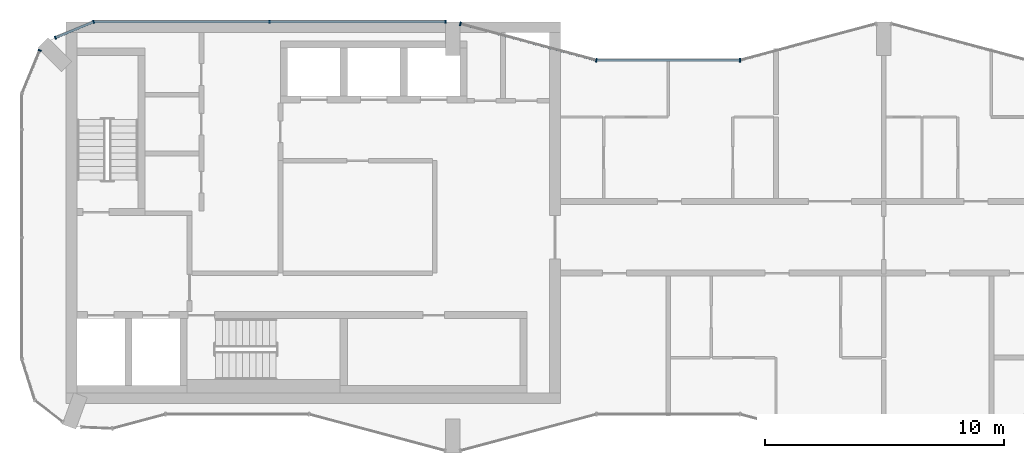
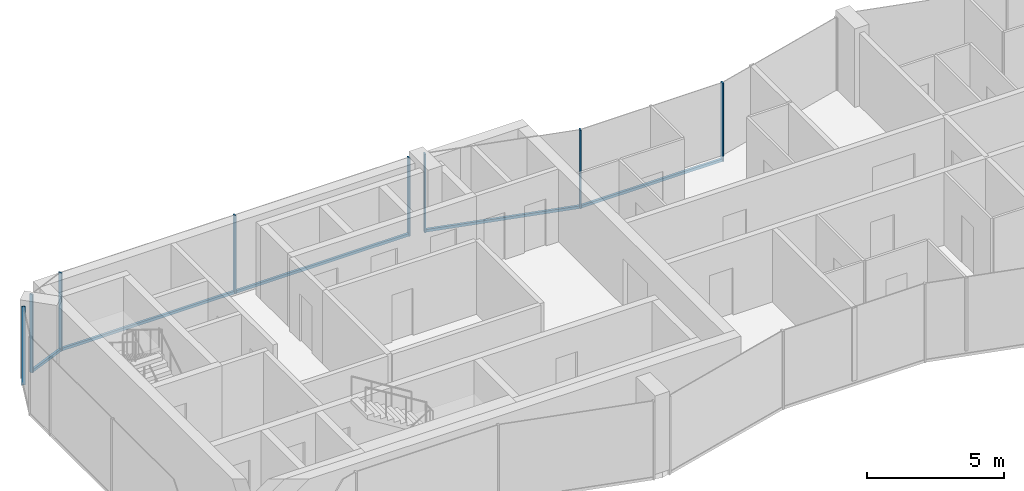
# One storey, part 4 of 10: 12 members, 5 elements without a shape of their own.
"""IFC4 building model written with IfcOpenShell, lengths in metres."""

from ifc_helpers import new_model, si_unit, direction, frame, origin, origin_2d, place, context, subcontext, project, spatial, rectangle, extrude, material, layer, layer_set, material_profile, profile_set, type_object, element, aggregate, save


model = new_model("IFC4")

# Units and contexts
model_context = context("Model", 3, precision=1e-05, world=origin(), true_north=direction((0.0, 1.0)))
body_context = subcontext(model_context, "Body", "Model", "MODEL_VIEW")
ifc_project = project(units=[si_unit("LENGTHUNIT", "METRE"), si_unit("AREAUNIT", "SQUARE_METRE"), si_unit("VOLUMEUNIT", "CUBIC_METRE"), si_unit("PLANEANGLEUNIT", "RADIAN"), si_unit("MASSUNIT", "GRAM", prefix="KILO")], contexts=[model_context])

# Site, building, storey
site_placement = place(None, origin())
site = spatial("IfcSite", under=ifc_project, at=site_placement, CompositionType="ELEMENT")
building_placement = place(site_placement, origin())
building = spatial("IfcBuilding", under=site, at=building_placement, Name="Plateau Cross Towers", CompositionType="ELEMENT")
storey_placement = place(building_placement, frame((0.0, 0.0, 280.89990234375)))
storey = spatial("IfcBuildingStorey", under=building, at=storey_placement, Name="L74", CompositionType="ELEMENT", Elevation=280.89990234375)

# Curtain wall, members
ifc_material_1 = material(Name="Dark low-iron glass", Category="glass")
ifc_layer_1 = layer(ifc_material_1, 0.239990234375)
ifc_layer_set_1 = layer_set([ifc_layer_1], Name="Dark low-iron glass")
curtain_wall_type_1 = type_object("IfcCurtainWallType", Name="Curtain wall flush unitised CW-B", PredefinedType="NOTDEFINED", material=ifc_layer_set_1)
curtain_wall_1_placement = place(storey_placement, origin())
curtain_wall_1 = element("IfcCurtainWall", 1, at=curtain_wall_1_placement, inside=storey, type_object=curtain_wall_type_1, Name="ENV/A/L74/A177_180", PredefinedType="NOTDEFINED")
ifc_material_2 = material(Name="Black anodised aluminium", Category="aluminium")
ifc_material_profile_1 = material_profile(ifc_material_2, rectangle(XDim=0.06005859375, YDim=0.139892578125, at=origin_2d()), Name="MULLION 60x140")
ifc_profile_set_1 = profile_set([ifc_material_profile_1], Name="Black anodised aluminium")
member_type_1 = type_object("IfcMemberType", Name="Mullion 60x140 flush unitised", PredefinedType="MULLION", material=ifc_profile_set_1)
member_1_placement = place(storey_placement, frame((17.699951171875, 18.0, -0.25), z_axis=(0.0, 0.0, 1.0), x_axis=(-1.0, 0.0, 0.0)))
member_1 = element("IfcMember", 2, at=member_1_placement, type_object=member_type_1, Name="CW-B mullion 1", PredefinedType="MULLION", context=body_context, shape_type="SweptSolid", body=[
    extrude(rectangle(XDim=0.06005859375, YDim=0.139892578125, at=origin_2d()), origin(), (0.0, 0.0, 1.0), 3.5),
])
member_2_placement = place(storey_placement, frame((10.35009765625, 18.0, -0.25), z_axis=(0.0, 0.0, 1.0), x_axis=(-1.0, 0.0, 0.0)))
member_2 = element("IfcMember", 3, at=member_2_placement, type_object=member_type_1, Name="CW-B mullion 2", PredefinedType="MULLION", context=body_context, shape_type="SweptSolid", body=[
    extrude(rectangle(XDim=0.06005859375, YDim=0.139892578125, at=origin_2d()), origin(), (0.0, 0.0, 1.0), 3.5),
])

curtain_wall_2_placement = place(storey_placement, origin())
curtain_wall_2 = element("IfcCurtainWall", 4, at=curtain_wall_2_placement, inside=storey, type_object=curtain_wall_type_1, Name="ENV/A/L74/A30_180", PredefinedType="NOTDEFINED")
member_3_placement = place(storey_placement, frame((3.0, 18.0, -0.25), z_axis=(0.0, 0.0, 1.0), x_axis=(-0.923879457699, -0.382683612978, 0.0)))
member_3 = element("IfcMember", 5, at=member_3_placement, type_object=member_type_1, Name="CW-B mullion 1", PredefinedType="MULLION", context=body_context, shape_type="SweptSolid", body=[
    extrude(rectangle(XDim=0.06005859375, YDim=0.139892578125, at=origin_2d()), origin(), (0.0, 0.0, 1.0), 3.5),
])
member_4_placement = place(storey_placement, frame((1.4033203125, 17.338623046875, -0.25), z_axis=(0.0, 0.0, 1.0), x_axis=(-0.923879457699, -0.382683612978, 0.0)))
member_4 = element("IfcMember", 6, at=member_4_placement, type_object=member_type_1, Name="CW-B mullion 2", PredefinedType="MULLION", context=body_context, shape_type="SweptSolid", body=[
    extrude(rectangle(XDim=0.06005859375, YDim=0.139892578125, at=origin_2d()), origin(), (0.0, 0.0, 1.0), 3.5),
])

# Curtain wall, member
curtain_wall_3_placement = place(storey_placement, origin())
curtain_wall_3 = element("IfcCurtainWall", 7, at=curtain_wall_3_placement, inside=storey, type_object=curtain_wall_type_1, Name="ENV/A/L74/A7_168", PredefinedType="NOTDEFINED")
member_5_placement = place(storey_placement, frame((0.748046875, 16.805908203125, -0.25), z_axis=(0.0, 0.0, 1.0), x_axis=(-0.382683612978, -0.923879457699, 0.0)))
member_5 = element("IfcMember", 8, at=member_5_placement, type_object=member_type_1, Name="CW-B mullion 1", PredefinedType="MULLION", context=body_context, shape_type="SweptSolid", body=[
    extrude(rectangle(XDim=0.06005859375, YDim=0.139892578125, at=origin_2d()), origin(), (0.0, 0.0, 1.0), 3.5),
])
aggregate(curtain_wall_3, [member_5])

ifc_layer_2 = layer(ifc_material_1, 0.260009765625)
ifc_layer_set_2 = layer_set([ifc_layer_2], Name="Dark low-iron glass")
curtain_wall_type_2 = type_object("IfcCurtainWallType", Name="Curtain wall fluted unitised CW-A", PredefinedType="NOTDEFINED", material=ifc_layer_set_2)
curtain_wall_4_placement = place(storey_placement, origin())
curtain_wall_4 = element("IfcCurtainWall", 9, at=curtain_wall_4_placement, inside=storey, type_object=curtain_wall_type_2, Name="ENV/A/L74/A300_164", PredefinedType="NOTDEFINED")
ifc_material_profile_2 = material_profile(ifc_material_2, rectangle(XDim=0.06005859375, YDim=0.159912109375, at=origin_2d()), Name="MULLION 60x160")
ifc_profile_set_2 = profile_set([ifc_material_profile_2], Name="Black anodised aluminium")
member_type_2 = type_object("IfcMemberType", Name="Mullion 60x160 fluted unitised", PredefinedType="MULLION", material=ifc_profile_set_2)
member_6_placement = place(storey_placement, frame((30.0, 16.39306640625, -0.25), z_axis=(0.0, 0.0, 1.0), x_axis=(-1.0, 0.0, 0.0)))
member_6 = element("IfcMember", 10, at=member_6_placement, type_object=member_type_2, Name="CW-A mullion 1", PredefinedType="MULLION", context=body_context, shape_type="SweptSolid", body=[
    extrude(rectangle(XDim=0.06005859375, YDim=0.159912109375, at=origin_2d()), origin(), (0.0, 0.0, 1.0), 3.5),
])

# Curtain wall, members
curtain_wall_5_placement = place(storey_placement, origin())
curtain_wall_5 = element("IfcCurtainWall", 11, at=curtain_wall_5_placement, inside=storey, type_object=curtain_wall_type_2, Name="ENV/A/L74/A240_164", PredefinedType="NOTDEFINED")
member_7_placement = place(storey_placement, frame((24.0, 16.39306640625, -0.25), z_axis=(0.0, 0.0, 1.0), x_axis=(-0.965957983404, 0.258699003279, 0.0)))
member_7 = element("IfcMember", 12, at=member_7_placement, type_object=member_type_2, Name="CW-A mullion 1", PredefinedType="MULLION", context=body_context, shape_type="SweptSolid", body=[
    extrude(rectangle(XDim=0.06005859375, YDim=0.159912109375, at=origin_2d()), origin(), (0.0, 0.0, 1.0), 3.5),
])
member_8_placement = place(storey_placement, frame((18.31787109375, 17.914794921875, -0.25), z_axis=(0.0, 0.0, 1.0), x_axis=(-0.965957983404, 0.258699003279, 0.0)))
member_8 = element("IfcMember", 13, at=member_8_placement, type_object=member_type_2, Name="CW-A mullion 2", PredefinedType="MULLION", context=body_context, shape_type="SweptSolid", body=[
    extrude(rectangle(XDim=0.06005859375, YDim=0.159912109375, at=origin_2d()), origin(), (0.0, 0.0, 1.0), 3.5),
])

# Member
ifc_material_profile_3 = material_profile(ifc_material_2, rectangle(XDim=0.10009765625, YDim=0.1201171875, at=origin_2d()), Name="TRANSOM 100x120")
ifc_profile_set_3 = profile_set([ifc_material_profile_3], Name="Black anodised aluminium")
member_type_3 = type_object("IfcMemberType", Name="Transom 100x120 flush unitised", PredefinedType="USERDEFINED", material=ifc_profile_set_3)
member_9_placement = place(storey_placement, frame((17.699951171875, 18.0, -0.18994140625), z_axis=(-1.0, 0.0, 0.0), x_axis=(0.0, -1.0, 0.0)))
member_9 = element("IfcMember", 14, at=member_9_placement, type_object=member_type_3, Name="CW-B transom", ObjectType="TRANSOM", PredefinedType="USERDEFINED", context=body_context, shape_type="SweptSolid", body=[
    extrude(rectangle(XDim=0.10009765625, YDim=0.1201171875, at=origin_2d()), origin(), (0.0, 0.0, 1.0), 14.699951171875),
])

aggregate(curtain_wall_1, [member_1, member_2, member_9])

member_10_placement = place(storey_placement, frame((3.0, 18.0, -0.18994140625), z_axis=(-0.923877369776, -0.382688653628, 0.0), x_axis=(0.382688653628, -0.923877369776, 0.0)))
member_10 = element("IfcMember", 15, at=member_10_placement, type_object=member_type_3, Name="CW-B transom", ObjectType="TRANSOM", PredefinedType="USERDEFINED", context=body_context, shape_type="SweptSolid", body=[
    extrude(rectangle(XDim=0.10009765625, YDim=0.1201171875, at=origin_2d()), origin(), (0.0, 0.0, 1.0), 1.728271484375),
])

aggregate(curtain_wall_2, [member_3, member_4, member_10])

ifc_material_profile_4 = material_profile(ifc_material_2, rectangle(XDim=0.10009765625, YDim=0.1201171875, at=origin_2d()), Name="TRANSOM 100x120")
ifc_profile_set_4 = profile_set([ifc_material_profile_4], Name="Black anodised aluminium")
member_type_4 = type_object("IfcMemberType", Name="Transom 100x120 fluted unitised", PredefinedType="USERDEFINED", material=ifc_profile_set_4)
member_11_placement = place(storey_placement, frame((30.0, 16.39306640625, -0.18994140625), z_axis=(-1.0, 0.0, 0.0), x_axis=(0.0, -1.0, 0.0)))
member_11 = element("IfcMember", 16, at=member_11_placement, type_object=member_type_4, Name="CW-A transom", ObjectType="TRANSOM", PredefinedType="USERDEFINED", context=body_context, shape_type="SweptSolid", body=[
    extrude(rectangle(XDim=0.10009765625, YDim=0.1201171875, at=origin_2d()), origin(), (0.0, 0.0, 1.0), 6.0),
])

aggregate(curtain_wall_4, [member_6, member_11])

member_12_placement = place(storey_placement, frame((24.0, 16.39306640625, -0.18994140625), z_axis=(-0.965959534794, 0.258693210465, 0.0), x_axis=(-0.258693210465, -0.965959534794, 0.0)))
member_12 = element("IfcMember", 17, at=member_12_placement, type_object=member_type_4, Name="CW-A transom", ObjectType="TRANSOM", PredefinedType="USERDEFINED", context=body_context, shape_type="SweptSolid", body=[
    extrude(rectangle(XDim=0.10009765625, YDim=0.1201171875, at=origin_2d()), origin(), (0.0, 0.0, 1.0), 5.88232421875),
])

aggregate(curtain_wall_5, [member_7, member_8, member_12])

save(model, "model.ifc")
